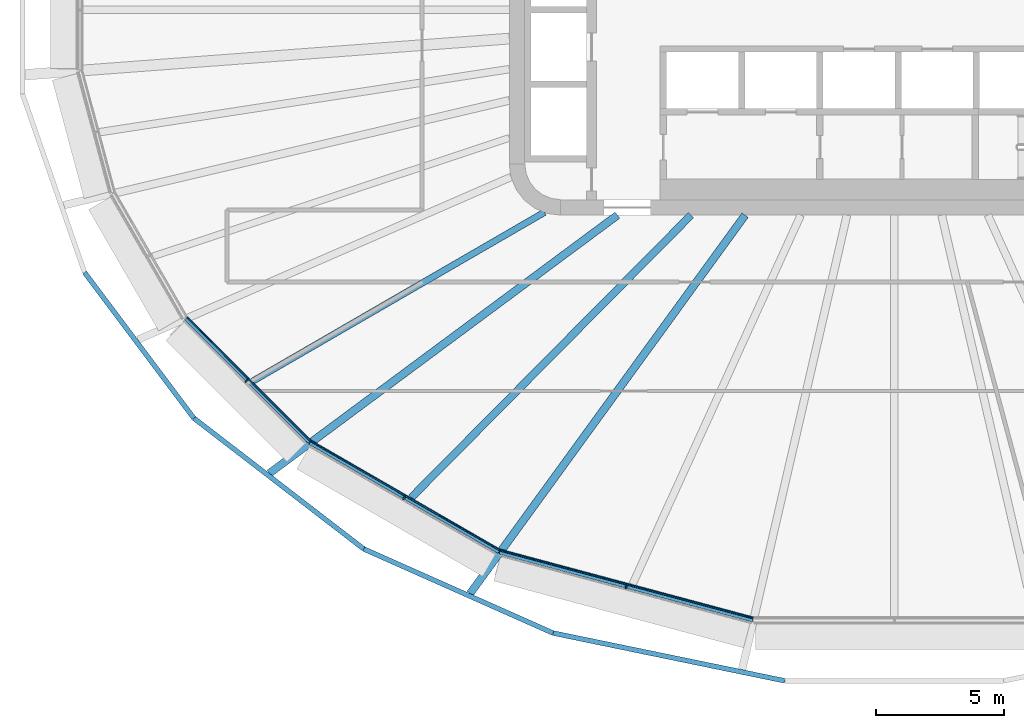
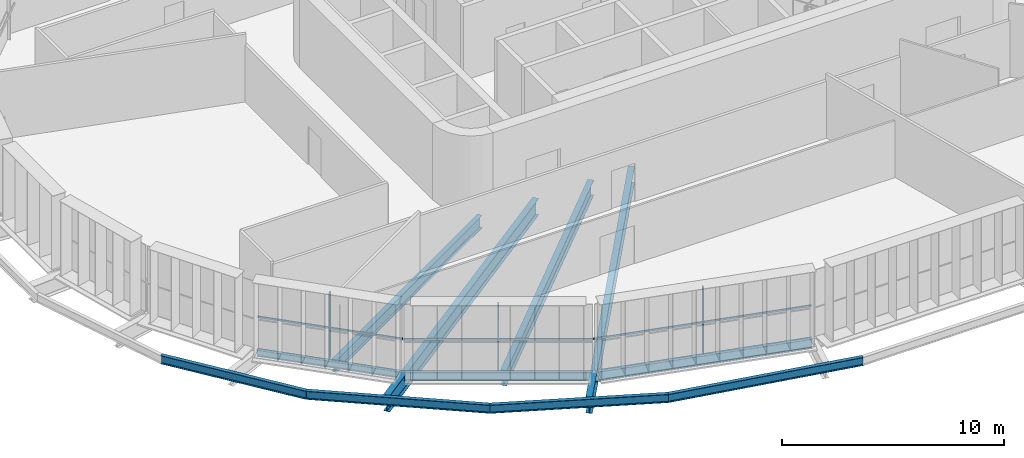
# One storey, part 1 of 24: 11 beams, 6 members, 3 elements without a shape of their own.
"""IFC4 building model written with IfcOpenShell, lengths in metres."""

from ifc_helpers import new_model, si_unit, direction, frame, origin, origin_2d, place, context, subcontext, project, spatial, rectangle, i_section, extrude, material, layer, layer_set, material_profile, profile_set, type_object, element, aggregate, save


model = new_model("IFC4")

# Units and contexts
model_context = context("Model", 3, precision=1e-05, world=origin(), true_north=direction((0.0, 1.0)))
body_context = subcontext(model_context, "Body", "Model", "MODEL_VIEW")
ifc_project = project(units=[si_unit("LENGTHUNIT", "METRE"), si_unit("AREAUNIT", "SQUARE_METRE"), si_unit("VOLUMEUNIT", "CUBIC_METRE"), si_unit("PLANEANGLEUNIT", "RADIAN"), si_unit("MASSUNIT", "GRAM", prefix="KILO")], contexts=[model_context])

# Site, building, storey
site_placement = place(None, origin())
site = spatial("IfcSite", under=ifc_project, at=site_placement, CompositionType="ELEMENT")
building_placement = place(site_placement, origin())
building = spatial("IfcBuilding", under=site, at=building_placement, Name="Sahrelin Media Tower", CompositionType="ELEMENT")
storey_placement = place(building_placement, frame((0.0, 0.0, 123.0)))
storey = spatial("IfcBuildingStorey", under=building, at=storey_placement, Name="L24", CompositionType="ELEMENT", Elevation=123.0)

# Beams
ifc_material_1 = material(Name="Steel S355", Category="steel")
ifc_material_profile_1 = material_profile(ifc_material_1, i_section(OverallWidth=0.17138671875, OverallDepth=0.35498046875, WebThickness=0.00732421875, FlangeThickness=0.011474609375, FilletRadius=0.01025390625, at=origin_2d()), Name="UB 356x171x51")
ifc_profile_set_1 = profile_set([ifc_material_profile_1], Name="Steel S355")
beam_type_1 = type_object("IfcBeamType", Name="Edge beam EB3", PredefinedType="BEAM", material=ifc_profile_set_1)
beam_1_placement = place(storey_placement, frame((-22.77734375, -16.82373046875, -0.327392578125), z_axis=(-0.70712470554, 0.707088856379, 0.0), x_axis=(-0.707088856379, -0.70712470554, 0.0)))
element("IfcBeam", 1, at=beam_1_placement, inside=storey, type_object=beam_type_1, Name="Edge beam L24-10", PredefinedType="BEAM", context=body_context, shape_type="SweptSolid", body=[
    extrude(i_section(OverallWidth=0.17138671875, OverallDepth=0.35498046875, WebThickness=0.00732421875, FlangeThickness=0.011474609375, FilletRadius=0.01025390625, at=origin_2d()), origin(), (0.0, 0.0, 1.0), 6.810302734375),
])
ifc_material_profile_2 = material_profile(ifc_material_1, i_section(OverallWidth=0.1904296875, OverallDepth=0.45703125, WebThickness=0.009033203125, FlangeThickness=0.014404296875, FilletRadius=0.01025390625, at=origin_2d()), Name="UB 457x191x74")
ifc_profile_set_2 = profile_set([ifc_material_profile_2], Name="Steel S355")
beam_type_2 = type_object("IfcBeamType", Name="Edge beam EB5", PredefinedType="BEAM", material=ifc_profile_set_2)
beam_2_placement = place(storey_placement, frame((-15.389892578125, -21.09326171875, -0.37841796875), z_axis=(-0.866022555323, 0.500004933648, 0.0), x_axis=(-0.500004933648, -0.866022555323, 0.0)))
element("IfcBeam", 2, at=beam_2_placement, inside=storey, type_object=beam_type_2, Name="Edge beam L24-09", PredefinedType="BEAM", context=body_context, shape_type="SweptSolid", body=[
    extrude(i_section(OverallWidth=0.1904296875, OverallDepth=0.45703125, WebThickness=0.009033203125, FlangeThickness=0.014404296875, FilletRadius=0.01025390625, at=origin_2d()), origin(), (0.0, 0.0, 1.0), 8.50390625),
])
ifc_material_profile_3 = material_profile(ifc_material_1, i_section(OverallWidth=0.208740234375, OverallDepth=0.5283203125, WebThickness=0.009521484375, FlangeThickness=0.01318359375, FilletRadius=0.0126953125, at=origin_2d()), Name="UB 533x210x82")
ifc_profile_set_3 = profile_set([ifc_material_profile_3], Name="Steel S355")
beam_type_3 = type_object("IfcBeamType", Name="Edge beam EB6", PredefinedType="BEAM", material=ifc_profile_set_3)
beam_3_placement = place(storey_placement, frame((-5.508056640625, -23.744873046875, -0.414306640625), z_axis=(-0.965927651129, 0.258812234613, 0.0), x_axis=(-0.258812234613, -0.965927651129, 0.0)))
element("IfcBeam", 3, at=beam_3_placement, inside=storey, type_object=beam_type_3, Name="Edge beam L24-08", PredefinedType="BEAM", context=body_context, shape_type="SweptSolid", body=[
    extrude(i_section(OverallWidth=0.208740234375, OverallDepth=0.5283203125, WebThickness=0.009521484375, FlangeThickness=0.01318359375, FilletRadius=0.0126953125, at=origin_2d()), origin(), (0.0, 0.0, 1.0), 10.202880859375),
])

# Curtain wall, member
ifc_material_2 = material(Name="Champagne anodised aluminium 6063-T6", Category="aluminium")
ifc_layer = layer(ifc_material_2, 0.14990234375)
ifc_layer_set = layer_set([ifc_layer], Name="Tower ribbon curtain wall")
curtain_wall_type = type_object("IfcCurtainWallType", Name="Tower ribbon curtain wall", PredefinedType="NOTDEFINED", material=ifc_layer_set)
curtain_wall_1_placement = place(storey_placement, frame((-25.291259765625, -14.52197265625, 0.0), z_axis=(0.0, 0.0, 1.0), x_axis=(1.0, 0.0, 0.0)))
curtain_wall_1 = element("IfcCurtainWall", 4, at=curtain_wall_1_placement, inside=storey, type_object=curtain_wall_type, Name="L24:CW:L24-15", PredefinedType="NOTDEFINED")
ifc_material_profile_4 = material_profile(ifc_material_2, rectangle(XDim=0.06005859375, YDim=0.14990234375, at=origin_2d()), Name="Mullion 60x150")
ifc_profile_set_4 = profile_set([ifc_material_profile_4], Name="Champagne anodised aluminium 6063-T6")
member_type_1 = type_object("IfcMemberType", Name="Mullion 60x150 CW1", PredefinedType="MULLION", material=ifc_profile_set_4)
member_1_placement = place(storey_placement, frame((-25.22412109375, -14.454833984375, 0.0), z_axis=(0.0, 0.0, 1.0), x_axis=(0.707106781187, -0.707106781187, 0.0)))
member_1 = element("IfcMember", 5, at=member_1_placement, type_object=member_type_1, Name="L24:CWM:L24-15", PredefinedType="MULLION", context=body_context, shape_type="SweptSolid", body=[
    extrude(rectangle(XDim=0.06005859375, YDim=0.14990234375, at=origin_2d()), origin(), (0.0, 0.0, 1.0), 3.648681640625),
])

curtain_wall_2_placement = place(storey_placement, frame((-19.147216796875, -19.09716796875, 0.0), z_axis=(0.0, 0.0, 1.0), x_axis=(1.0, 0.0, 0.0)))
curtain_wall_2 = element("IfcCurtainWall", 6, at=curtain_wall_2_placement, inside=storey, type_object=curtain_wall_type, Name="L24:CW:L24-16", PredefinedType="NOTDEFINED")
member_2_placement = place(storey_placement, frame((-19.099609375, -19.014892578125, 0.0), z_axis=(0.0, 0.0, 1.0), x_axis=(0.866022785779, -0.500004534492, 0.0)))
member_2 = element("IfcMember", 7, at=member_2_placement, type_object=member_type_1, Name="L24:CWM:L24-16", PredefinedType="MULLION", context=body_context, shape_type="SweptSolid", body=[
    extrude(rectangle(XDim=0.06005859375, YDim=0.14990234375, at=origin_2d()), origin(), (0.0, 0.0, 1.0), 3.648681640625),
])

curtain_wall_3_placement = place(storey_placement, frame((-10.474609375, -22.569580078125, 0.0), z_axis=(0.0, 0.0, 1.0), x_axis=(1.0, 0.0, 0.0)))
curtain_wall_3 = element("IfcCurtainWall", 8, at=curtain_wall_3_placement, inside=storey, type_object=curtain_wall_type, Name="L24:CW:L24-17", PredefinedType="NOTDEFINED")
member_3_placement = place(storey_placement, frame((-10.449951171875, -22.477783203125, 0.0), z_axis=(0.0, 0.0, 1.0), x_axis=(0.965927181449, -0.258813987523, 0.0)))
member_3 = element("IfcMember", 9, at=member_3_placement, type_object=member_type_1, Name="L24:CWM:L24-17", PredefinedType="MULLION", context=body_context, shape_type="SweptSolid", body=[
    extrude(rectangle(XDim=0.06005859375, YDim=0.14990234375, at=origin_2d()), origin(), (0.0, 0.0, 1.0), 3.648681640625),
])

# Beams
ifc_material_profile_5 = material_profile(ifc_material_1, i_section(OverallWidth=0.30322265625, OverallDepth=0.903076171875, WebThickness=0.01513671875, FlangeThickness=0.020263671875, FilletRadius=0.01904296875, at=origin_2d()), Name="UB 914x305x201")
ifc_profile_set_5 = profile_set([ifc_material_profile_5], Name="Steel S355")
beam_type_4 = type_object("IfcBeamType", Name="Radial primary beam PB11", PredefinedType="BEAM", material=ifc_profile_set_5)
beam_4_placement = place(storey_placement, frame((-10.78662109375, -8.0, -0.6015625), z_axis=(-0.803198279185, -0.595711779566, 0.0), x_axis=(0.595711779566, -0.803198279185, 0.0)))
element("IfcBeam", 10, at=beam_4_placement, inside=storey, type_object=beam_type_4, Name="Radial beam L24-16", PredefinedType="BEAM", context=body_context, shape_type="SweptSolid", body=[
    extrude(i_section(OverallWidth=0.30322265625, OverallDepth=0.903076171875, WebThickness=0.01513671875, FlangeThickness=0.020263671875, FilletRadius=0.01904296875, at=origin_2d()), origin(), (0.0, 0.0, 1.0), 16.876708984375),
])
beam_5_placement = place(storey_placement, frame((-5.813720703125, -8.0, -0.6015625), z_axis=(-0.587854545136, -0.808966645643, 0.0), x_axis=(0.808966645643, -0.587854545136, 0.0)))
element("IfcBeam", 11, at=beam_5_placement, inside=storey, type_object=beam_type_4, Name="Radial beam L24-17", PredefinedType="BEAM", context=body_context, shape_type="SweptSolid", body=[
    extrude(i_section(OverallWidth=0.30322265625, OverallDepth=0.903076171875, WebThickness=0.01513671875, FlangeThickness=0.020263671875, FilletRadius=0.01904296875, at=origin_2d()), origin(), (0.0, 0.0, 1.0), 18.219482421875),
])
ifc_material_profile_6 = material_profile(ifc_material_1, i_section(OverallWidth=0.291748046875, OverallDepth=0.8349609375, WebThickness=0.013916015625, FlangeThickness=0.018798828125, FilletRadius=0.017822265625, at=origin_2d()), Name="UB 838x292x176")
ifc_profile_set_6 = profile_set([ifc_material_profile_6], Name="Steel S355")
beam_type_5 = type_object("IfcBeamType", Name="Radial secondary beam SB10", PredefinedType="BEAM", material=ifc_profile_set_6)
beam_6_placement = place(storey_placement, frame((-7.922607421875, -8.0, -0.5673828125), z_axis=(-0.70365366742, -0.710543113629, 0.0), x_axis=(0.710543113629, -0.70365366742, 0.0)))
element("IfcBeam", 12, at=beam_6_placement, inside=storey, type_object=beam_type_5, Name="Secondary beam L24-12", PredefinedType="BEAM", context=body_context, shape_type="SweptSolid", body=[
    extrude(i_section(OverallWidth=0.291748046875, OverallDepth=0.8349609375, WebThickness=0.013916015625, FlangeThickness=0.018798828125, FilletRadius=0.017822265625, at=origin_2d()), origin(), (0.0, 0.0, 1.0), 15.48583984375),
])
ifc_material_profile_7 = material_profile(ifc_material_1, i_section(OverallWidth=0.2529296875, OverallDepth=0.677978515625, WebThickness=0.01171875, FlangeThickness=0.01611328125, FilletRadius=0.01513671875, at=origin_2d()), Name="UB 686x254x125")
ifc_profile_set_7 = profile_set([ifc_material_profile_7], Name="Steel S355")
beam_type_6 = type_object("IfcBeamType", Name="Radial secondary beam SB8", PredefinedType="BEAM", material=ifc_profile_set_7)
beam_7_placement = place(storey_placement, frame((-13.626220703125, -7.886962890625, -0.489013671875), z_axis=(-0.865481790925, -0.500940385252, 0.0), x_axis=(0.500940385252, -0.865481790925, 0.0)))
element("IfcBeam", 13, at=beam_7_placement, inside=storey, type_object=beam_type_6, Name="Secondary beam L24-11", PredefinedType="BEAM", context=body_context, shape_type="SweptSolid", body=[
    extrude(i_section(OverallWidth=0.2529296875, OverallDepth=0.677978515625, WebThickness=0.01171875, FlangeThickness=0.01611328125, FilletRadius=0.01513671875, at=origin_2d()), origin(), (0.0, 0.0, 1.0), 13.148681640625),
])
ifc_material_profile_8 = material_profile(ifc_material_1, i_section(OverallWidth=0.1904296875, OverallDepth=0.45703125, WebThickness=0.009033203125, FlangeThickness=0.014404296875, FilletRadius=0.01025390625, at=origin_2d()), Name="UB 457x191x74")
ifc_profile_set_8 = profile_set([ifc_material_profile_8], Name="Steel S355")
beam_type_7 = type_object("IfcBeamType", Name="Tie chord TC5", PredefinedType="BEAM", material=ifc_profile_set_8)
beam_8_placement = place(storey_placement, frame((-31.542236328125, -10.2333984375, -0.37841796875), z_axis=(0.600055058973, -0.79995870281, 0.0), x_axis=(0.79995870281, 0.600055058973, 0.0)))
element("IfcBeam", 14, at=beam_8_placement, inside=storey, type_object=beam_type_7, Name="Tie chord L24-14", PredefinedType="BEAM", context=body_context, shape_type="SweptSolid", body=[
    extrude(i_section(OverallWidth=0.1904296875, OverallDepth=0.45703125, WebThickness=0.009033203125, FlangeThickness=0.014404296875, FilletRadius=0.01025390625, at=origin_2d()), origin(), (0.0, 0.0, 1.0), 7.094482421875),
])
beam_9_placement = place(storey_placement, frame((-27.28515625, -15.90869140625, -0.37841796875), z_axis=(0.792439163216, -0.609950959178, 0.0), x_axis=(0.609950959178, 0.792439163216, 0.0)))
element("IfcBeam", 15, at=beam_9_placement, inside=storey, type_object=beam_type_7, Name="Tie chord L24-15", PredefinedType="BEAM", context=body_context, shape_type="SweptSolid", body=[
    extrude(i_section(OverallWidth=0.1904296875, OverallDepth=0.45703125, WebThickness=0.009033203125, FlangeThickness=0.014404296875, FilletRadius=0.01025390625, at=origin_2d()), origin(), (0.0, 0.0, 1.0), 8.349365234375),
])
beam_10_placement = place(storey_placement, frame((-20.668701171875, -21.00146484375, -0.37841796875), z_axis=(0.913830264111, -0.406096353585, 0.0), x_axis=(0.406096353585, 0.913830264111, 0.0)))
element("IfcBeam", 16, at=beam_10_placement, inside=storey, type_object=beam_type_7, Name="Tie chord L24-16", PredefinedType="BEAM", context=body_context, shape_type="SweptSolid", body=[
    extrude(i_section(OverallWidth=0.1904296875, OverallDepth=0.45703125, WebThickness=0.009033203125, FlangeThickness=0.014404296875, FilletRadius=0.01025390625, at=origin_2d()), origin(), (0.0, 0.0, 1.0), 8.068603515625),
])
beam_11_placement = place(storey_placement, frame((-13.29541015625, -24.278076171875, -0.37841796875), z_axis=(0.979388907091, -0.201983585145, 0.0), x_axis=(0.201983585145, 0.979388907091, 0.0)))
element("IfcBeam", 17, at=beam_11_placement, inside=storey, type_object=beam_type_7, Name="Tie chord L24-17", PredefinedType="BEAM", context=body_context, shape_type="SweptSolid", body=[
    extrude(i_section(OverallWidth=0.1904296875, OverallDepth=0.45703125, WebThickness=0.009033203125, FlangeThickness=0.014404296875, FilletRadius=0.01025390625, at=origin_2d()), origin(), (0.0, 0.0, 1.0), 9.228515625),
])

# Member
ifc_material_profile_9 = material_profile(ifc_material_2, rectangle(XDim=0.050048828125, YDim=0.10009765625, at=origin_2d()), Name="Transom 50x100")
ifc_profile_set_9 = profile_set([ifc_material_profile_9], Name="Champagne anodised aluminium 6063-T6")
member_type_2 = type_object("IfcMemberType", Name="Transom 50x100 CW1", PredefinedType="USERDEFINED", material=ifc_profile_set_9)
member_4_placement = place(storey_placement, frame((-27.550048828125, -11.987548828125, 1.60009765625), z_axis=(0.707124788617, -0.707088773297, 0.0), x_axis=(0.707088773297, 0.707124788617, 0.0)))
member_4 = element("IfcMember", 18, at=member_4_placement, type_object=member_type_2, Name="L24:CWT:L24-15", ObjectType="TRANSOM", PredefinedType="USERDEFINED", context=body_context, shape_type="SweptSolid", body=[
    extrude(rectangle(XDim=0.050048828125, YDim=0.10009765625, at=origin_2d()), origin(), (0.0, 0.0, 1.0), 6.77880859375),
])

aggregate(curtain_wall_1, [member_1, member_4])

member_5_placement = place(storey_placement, frame((-22.718505859375, -16.81005859375, 1.60009765625), z_axis=(0.866021473228, -0.500006807861, 0.0), x_axis=(0.500006807861, 0.866021473228, 0.0)))
member_5 = element("IfcMember", 19, at=member_5_placement, type_object=member_type_2, Name="L24:CWT:L24-16", ObjectType="TRANSOM", PredefinedType="USERDEFINED", context=body_context, shape_type="SweptSolid", body=[
    extrude(rectangle(XDim=0.050048828125, YDim=0.10009765625, at=origin_2d()), origin(), (0.0, 0.0, 1.0), 8.47265625),
])

aggregate(curtain_wall_2, [member_2, member_5])

member_6_placement = place(storey_placement, frame((-15.33642578125, -21.06494140625, 1.60009765625), z_axis=(0.96592630244, -0.258817268077, 0.0), x_axis=(0.258817268077, 0.96592630244, 0.0)))
member_6 = element("IfcMember", 20, at=member_6_placement, type_object=member_type_2, Name="L24:CWT:L24-17", ObjectType="TRANSOM", PredefinedType="USERDEFINED", context=body_context, shape_type="SweptSolid", body=[
    extrude(rectangle(XDim=0.050048828125, YDim=0.10009765625, at=origin_2d()), origin(), (0.0, 0.0, 1.0), 10.171630859375),
])

aggregate(curtain_wall_3, [member_3, member_6])

save(model, "model.ifc")
